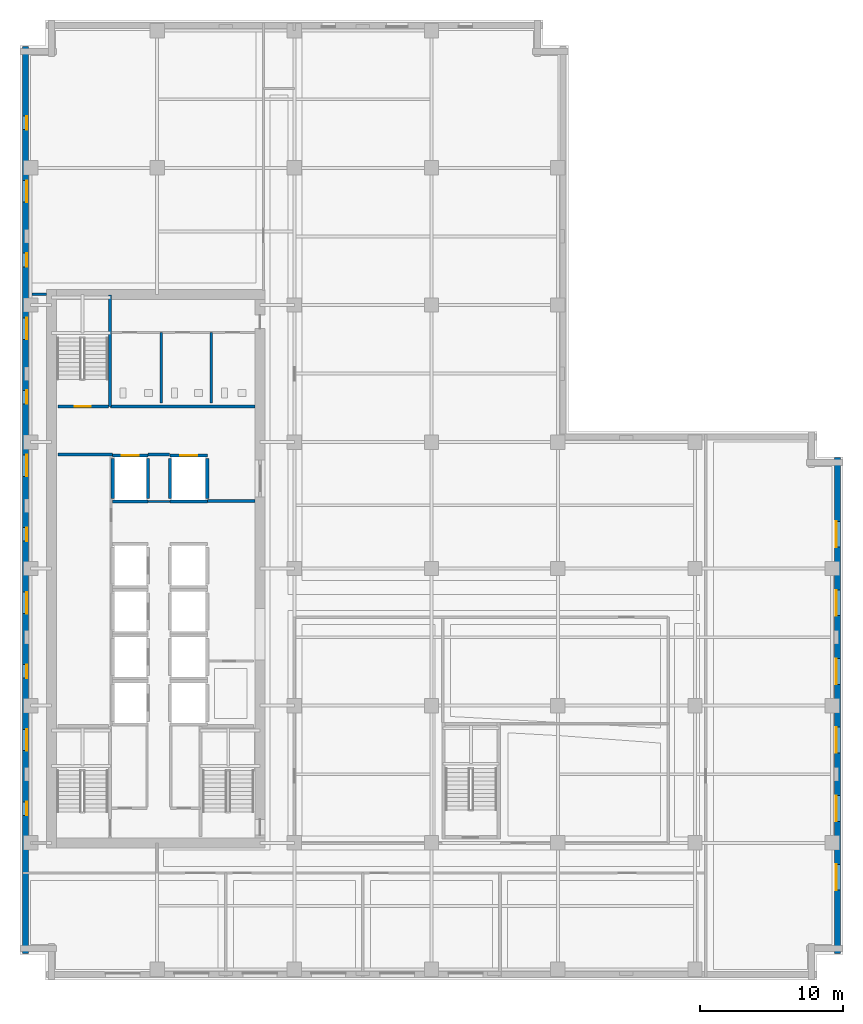
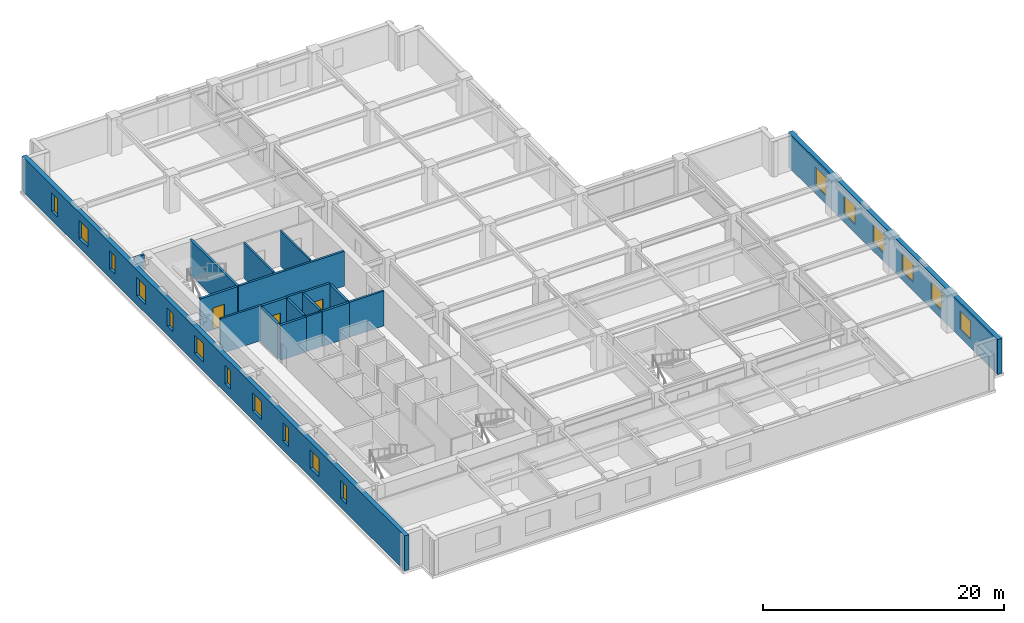
# One storey, part 5 of 11: 20 walls, 17 windows, 3 doors, 20 openings.
"""IFC4 building model written with IfcOpenShell, lengths in metres."""

from ifc_helpers import new_model, si_unit, direction, frame, frame_2d, origin, place, context, subcontext, project, spatial, rectangle, extrude, material, layer, layer_set, type_object, element, fill, save


model = new_model("IFC4")

# Units and contexts
model_context = context("Model", 3, precision=1e-05, world=origin(), true_north=direction((0.0, 1.0)))
body_context = subcontext(model_context, "Body", "Model", "MODEL_VIEW")
ifc_project = project(units=[si_unit("LENGTHUNIT", "METRE"), si_unit("AREAUNIT", "SQUARE_METRE"), si_unit("VOLUMEUNIT", "CUBIC_METRE"), si_unit("PLANEANGLEUNIT", "RADIAN"), si_unit("MASSUNIT", "GRAM", prefix="KILO")], contexts=[model_context])

# Site, building, storey
site_placement = place(None, origin())
site = spatial("IfcSite", under=ifc_project, at=site_placement, CompositionType="ELEMENT")
building_placement = place(site_placement, origin())
building = spatial("IfcBuilding", under=site, at=building_placement, Name="Norrvale University Quadrangle", CompositionType="ELEMENT")
storey_placement = place(building_placement, frame((0.0, 0.0, 128.0)))
storey = spatial("IfcBuildingStorey", under=building, at=storey_placement, Name="L32", CompositionType="ELEMENT", Elevation=128.0)

# Wall, openings, windows
ifc_material_1 = material(Name="Buff Norman Clay Brick Masonry", Category="masonry")
ifc_layer_1 = layer(ifc_material_1, 0.419921875, Name="Buff Norman Clay Brick Masonry")
ifc_layer_set_1 = layer_set([ifc_layer_1], Name="Buff Norman Clay Brick Masonry")
wall_type_1 = type_object("IfcWallType", Name="Wall Buff Brick 420", PredefinedType="SOLIDWALL", material=ifc_layer_set_1)
wall_1_placement = place(storey_placement, frame((57.2099609375, 1.840087890625, 0.0), z_axis=(0.0, 0.0, 1.0), x_axis=(0.0, 1.0, 0.0)))
wall_1 = element("IfcWall", 1, at=wall_1_placement, inside=storey, type_object=wall_type_1, Name="Exterior Brick Facade Wall L32-04.1", PredefinedType="SOLIDWALL", context=body_context, shape_type="SweptSolid", body=[
    extrude(rectangle(XDim=34.719970703125, YDim=0.419921875, at=frame_2d((17.35986328125, 0.0))), origin(), (0.0, 0.0, 1.0), 3.5400390625),
])
opening_1_placement = place(wall_1_placement, frame((4.4599609375, 0.0, 0.85009765625)))
opening_1 = element("IfcOpeningElement", 2, at=opening_1_placement, cuts=wall_1, Name="Opening W01", PredefinedType="OPENING", context=body_context, shape_type="SweptSolid", body=[
    extrude(rectangle(XDim=1.800048828125, YDim=1.85009765625, at=frame_2d((0.89990234375, 0.925048828125))), frame((0.0, 0.221923828125, 0.0), z_axis=(0.0, -1.0, 0.0), x_axis=(1.0, 0.0, 0.0)), (0.0, 0.0, 1.0), 0.44384765625),
])
opening_2_placement = place(wall_1_placement, frame((9.260009765625, 0.0, 0.85009765625)))
opening_2 = element("IfcOpeningElement", 3, at=opening_2_placement, cuts=wall_1, Name="Opening W01", PredefinedType="OPENING", context=body_context, shape_type="SweptSolid", body=[
    extrude(rectangle(XDim=1.800048828125, YDim=1.85009765625, at=frame_2d((0.89990234375, 0.925048828125))), frame((0.0, 0.221923828125, 0.0), z_axis=(0.0, -1.0, 0.0), x_axis=(1.0, 0.0, 0.0)), (0.0, 0.0, 1.0), 0.44384765625),
])
opening_3_placement = place(wall_1_placement, frame((14.06005859375, 0.0, 0.85009765625)))
opening_3 = element("IfcOpeningElement", 4, at=opening_3_placement, cuts=wall_1, Name="Opening W01", PredefinedType="OPENING", context=body_context, shape_type="SweptSolid", body=[
    extrude(rectangle(XDim=1.800048828125, YDim=1.85009765625, at=frame_2d((0.89990234375, 0.925048828125))), frame((0.0, 0.221923828125, 0.0), z_axis=(0.0, -1.0, 0.0), x_axis=(1.0, 0.0, 0.0)), (0.0, 0.0, 1.0), 0.44384765625),
])
opening_4_placement = place(wall_1_placement, frame((18.860107421875, 0.0, 0.85009765625)))
opening_4 = element("IfcOpeningElement", 5, at=opening_4_placement, cuts=wall_1, Name="Opening W01", PredefinedType="OPENING", context=body_context, shape_type="SweptSolid", body=[
    extrude(rectangle(XDim=1.800048828125, YDim=1.85009765625, at=frame_2d((0.89990234375, 0.925048828125))), frame((0.0, 0.221923828125, 0.0), z_axis=(0.0, -1.0, 0.0), x_axis=(1.0, 0.0, 0.0)), (0.0, 0.0, 1.0), 0.44384765625),
])
opening_5_placement = place(wall_1_placement, frame((23.659912109375, 0.0, 0.85009765625)))
opening_5 = element("IfcOpeningElement", 6, at=opening_5_placement, cuts=wall_1, Name="Opening W01", PredefinedType="OPENING", context=body_context, shape_type="SweptSolid", body=[
    extrude(rectangle(XDim=1.800048828125, YDim=1.85009765625, at=frame_2d((0.89990234375, 0.925048828125))), frame((0.0, 0.221923828125, 0.0), z_axis=(0.0, -1.0, 0.0), x_axis=(1.0, 0.0, 0.0)), (0.0, 0.0, 1.0), 0.44384765625),
])
opening_6_placement = place(wall_1_placement, frame((28.4599609375, 0.0, 0.85009765625)))
opening_6 = element("IfcOpeningElement", 7, at=opening_6_placement, cuts=wall_1, Name="Opening W01", PredefinedType="OPENING", context=body_context, shape_type="SweptSolid", body=[
    extrude(rectangle(XDim=1.800048828125, YDim=1.85009765625, at=frame_2d((0.89990234375, 0.925048828125))), frame((0.0, 0.221923828125, 0.0), z_axis=(0.0, -1.0, 0.0), x_axis=(1.0, 0.0, 0.0)), (0.0, 0.0, 1.0), 0.44384765625),
])
ifc_material_2 = material(Name="Triple Low-E Argon Glazing", Category="glass")
window_type_1 = type_object("IfcWindowType", Name="Window Academic 1800x2300", PartitioningType="DOUBLE_PANEL_VERTICAL", PredefinedType="WINDOW", material=ifc_material_2)
window_1_placement = place(opening_1_placement, origin())
window_1 = element("IfcWindow", 8, at=window_1_placement, inside=storey, type_object=window_type_1, Name="Window Academic 1800x2300 WIN-L32-E04-1-01", OverallHeight=1.85009765625, OverallWidth=1.800048828125, PartitioningType="DOUBLE_PANEL_VERTICAL", PredefinedType="WINDOW", context=body_context, shape_type="SweptSolid", body=[
    extrude(rectangle(XDim=1.800048828125, YDim=1.85009765625, at=frame_2d((0.89990234375, 0.925048828125))), frame((0.0, 0.110107421875, 0.0), z_axis=(0.0, -1.0, 0.0), x_axis=(1.0, 0.0, 0.0)), (0.0, 0.0, 1.0), 0.06005859375),
])
fill(opening_1, window_1)
window_2_placement = place(opening_2_placement, origin())
window_2 = element("IfcWindow", 9, at=window_2_placement, inside=storey, type_object=window_type_1, Name="Window Academic 1800x2300 WIN-L32-E04-1-02", OverallHeight=1.85009765625, OverallWidth=1.800048828125, PartitioningType="DOUBLE_PANEL_VERTICAL", PredefinedType="WINDOW", context=body_context, shape_type="SweptSolid", body=[
    extrude(rectangle(XDim=1.800048828125, YDim=1.85009765625, at=frame_2d((0.89990234375, 0.925048828125))), frame((0.0, 0.110107421875, 0.0), z_axis=(0.0, -1.0, 0.0), x_axis=(1.0, 0.0, 0.0)), (0.0, 0.0, 1.0), 0.06005859375),
])
fill(opening_2, window_2)
window_3_placement = place(opening_3_placement, origin())
window_3 = element("IfcWindow", 10, at=window_3_placement, inside=storey, type_object=window_type_1, Name="Window Academic 1800x2300 WIN-L32-E04-1-03", OverallHeight=1.85009765625, OverallWidth=1.800048828125, PartitioningType="DOUBLE_PANEL_VERTICAL", PredefinedType="WINDOW", context=body_context, shape_type="SweptSolid", body=[
    extrude(rectangle(XDim=1.800048828125, YDim=1.85009765625, at=frame_2d((0.89990234375, 0.925048828125))), frame((0.0, 0.110107421875, 0.0), z_axis=(0.0, -1.0, 0.0), x_axis=(1.0, 0.0, 0.0)), (0.0, 0.0, 1.0), 0.06005859375),
])
fill(opening_3, window_3)
window_4_placement = place(opening_4_placement, origin())
window_4 = element("IfcWindow", 11, at=window_4_placement, inside=storey, type_object=window_type_1, Name="Window Academic 1800x2300 WIN-L32-E04-1-04", OverallHeight=1.85009765625, OverallWidth=1.800048828125, PartitioningType="DOUBLE_PANEL_VERTICAL", PredefinedType="WINDOW", context=body_context, shape_type="SweptSolid", body=[
    extrude(rectangle(XDim=1.800048828125, YDim=1.85009765625, at=frame_2d((0.89990234375, 0.925048828125))), frame((0.0, 0.110107421875, 0.0), z_axis=(0.0, -1.0, 0.0), x_axis=(1.0, 0.0, 0.0)), (0.0, 0.0, 1.0), 0.06005859375),
])
fill(opening_4, window_4)
window_5_placement = place(opening_5_placement, origin())
window_5 = element("IfcWindow", 12, at=window_5_placement, inside=storey, type_object=window_type_1, Name="Window Academic 1800x2300 WIN-L32-E04-1-05", OverallHeight=1.85009765625, OverallWidth=1.800048828125, PartitioningType="DOUBLE_PANEL_VERTICAL", PredefinedType="WINDOW", context=body_context, shape_type="SweptSolid", body=[
    extrude(rectangle(XDim=1.800048828125, YDim=1.85009765625, at=frame_2d((0.89990234375, 0.925048828125))), frame((0.0, 0.110107421875, 0.0), z_axis=(0.0, -1.0, 0.0), x_axis=(1.0, 0.0, 0.0)), (0.0, 0.0, 1.0), 0.06005859375),
])
fill(opening_5, window_5)
window_6_placement = place(opening_6_placement, origin())
window_6 = element("IfcWindow", 13, at=window_6_placement, inside=storey, type_object=window_type_1, Name="Window Academic 1800x2300 WIN-L32-E04-1-06", OverallHeight=1.85009765625, OverallWidth=1.800048828125, PartitioningType="DOUBLE_PANEL_VERTICAL", PredefinedType="WINDOW", context=body_context, shape_type="SweptSolid", body=[
    extrude(rectangle(XDim=1.800048828125, YDim=1.85009765625, at=frame_2d((0.89990234375, 0.925048828125))), frame((0.0, 0.110107421875, 0.0), z_axis=(0.0, -1.0, 0.0), x_axis=(1.0, 0.0, 0.0)), (0.0, 0.0, 1.0), 0.06005859375),
])
fill(opening_6, window_6)

wall_2_placement = place(storey_placement, frame((0.389892578125, 65.360107421875, 0.0), z_axis=(0.0, 0.0, 1.0), x_axis=(0.0, -1.0, 0.0)))
wall_2 = element("IfcWall", 14, at=wall_2_placement, inside=storey, type_object=wall_type_1, Name="Exterior Brick Facade Wall L32-14.1", PredefinedType="SOLIDWALL", context=body_context, shape_type="SweptSolid", body=[
    extrude(rectangle(XDim=63.52001953125, YDim=0.419921875, at=frame_2d((31.760009765625, 0.0))), origin(), (0.0, 0.0, 1.0), 3.5400390625),
])
opening_7_placement = place(wall_2_placement, frame((4.885009765625, 0.0, 0.89990234375)))
opening_7 = element("IfcOpeningElement", 15, at=opening_7_placement, cuts=wall_2, Name="Opening W04", PredefinedType="OPENING", context=body_context, shape_type="SweptSolid", body=[
    extrude(rectangle(XDim=0.949951171875, YDim=1.85009765625, at=frame_2d((0.47509765625, 0.925048828125))), frame((0.0, 0.221923828125, 0.0), z_axis=(0.0, -1.0, 0.0), x_axis=(1.0, 0.0, 0.0)), (0.0, 0.0, 1.0), 0.44384765625),
])
opening_8_placement = place(wall_2_placement, frame((9.409912109375, 0.0, 0.89990234375)))
opening_8 = element("IfcOpeningElement", 16, at=opening_8_placement, cuts=wall_2, Name="Opening W03", PredefinedType="OPENING", context=body_context, shape_type="SweptSolid", body=[
    extrude(rectangle(XDim=1.5, YDim=1.85009765625, at=frame_2d((0.75, 0.925048828125))), frame((0.0, 0.221923828125, 0.0), z_axis=(0.0, -1.0, 0.0), x_axis=(1.0, 0.0, 0.0)), (0.0, 0.0, 1.0), 0.44384765625),
])
opening_9_placement = place(wall_2_placement, frame((14.485107421875, 0.0, 0.89990234375)))
opening_9 = element("IfcOpeningElement", 17, at=opening_9_placement, cuts=wall_2, Name="Opening W04", PredefinedType="OPENING", context=body_context, shape_type="SweptSolid", body=[
    extrude(rectangle(XDim=0.949951171875, YDim=1.85009765625, at=frame_2d((0.47509765625, 0.925048828125))), frame((0.0, 0.221923828125, 0.0), z_axis=(0.0, -1.0, 0.0), x_axis=(1.0, 0.0, 0.0)), (0.0, 0.0, 1.0), 0.44384765625),
])
opening_10_placement = place(wall_2_placement, frame((19.010009765625, 0.0, 0.89990234375)))
opening_10 = element("IfcOpeningElement", 18, at=opening_10_placement, cuts=wall_2, Name="Opening W03", PredefinedType="OPENING", context=body_context, shape_type="SweptSolid", body=[
    extrude(rectangle(XDim=1.5, YDim=1.85009765625, at=frame_2d((0.75, 0.925048828125))), frame((0.0, 0.221923828125, 0.0), z_axis=(0.0, -1.0, 0.0), x_axis=(1.0, 0.0, 0.0)), (0.0, 0.0, 1.0), 0.44384765625),
])
opening_11_placement = place(wall_2_placement, frame((24.0849609375, 0.0, 0.89990234375)))
opening_11 = element("IfcOpeningElement", 19, at=opening_11_placement, cuts=wall_2, Name="Opening W04", PredefinedType="OPENING", context=body_context, shape_type="SweptSolid", body=[
    extrude(rectangle(XDim=0.949951171875, YDim=1.85009765625, at=frame_2d((0.47509765625, 0.925048828125))), frame((0.0, 0.221923828125, 0.0), z_axis=(0.0, -1.0, 0.0), x_axis=(1.0, 0.0, 0.0)), (0.0, 0.0, 1.0), 0.44384765625),
])
opening_12_placement = place(wall_2_placement, frame((28.610107421875, 0.0, 0.89990234375)))
opening_12 = element("IfcOpeningElement", 20, at=opening_12_placement, cuts=wall_2, Name="Opening W03", PredefinedType="OPENING", context=body_context, shape_type="SweptSolid", body=[
    extrude(rectangle(XDim=1.5, YDim=1.85009765625, at=frame_2d((0.75, 0.925048828125))), frame((0.0, 0.221923828125, 0.0), z_axis=(0.0, -1.0, 0.0), x_axis=(1.0, 0.0, 0.0)), (0.0, 0.0, 1.0), 0.44384765625),
])
opening_13_placement = place(wall_2_placement, frame((33.68505859375, 0.0, 0.89990234375)))
opening_13 = element("IfcOpeningElement", 21, at=opening_13_placement, cuts=wall_2, Name="Opening W04", PredefinedType="OPENING", context=body_context, shape_type="SweptSolid", body=[
    extrude(rectangle(XDim=0.949951171875, YDim=1.85009765625, at=frame_2d((0.47509765625, 0.925048828125))), frame((0.0, 0.221923828125, 0.0), z_axis=(0.0, -1.0, 0.0), x_axis=(1.0, 0.0, 0.0)), (0.0, 0.0, 1.0), 0.44384765625),
])
opening_14_placement = place(wall_2_placement, frame((38.2099609375, 0.0, 0.89990234375)))
opening_14 = element("IfcOpeningElement", 22, at=opening_14_placement, cuts=wall_2, Name="Opening W03", PredefinedType="OPENING", context=body_context, shape_type="SweptSolid", body=[
    extrude(rectangle(XDim=1.5, YDim=1.85009765625, at=frame_2d((0.75, 0.925048828125))), frame((0.0, 0.221923828125, 0.0), z_axis=(0.0, -1.0, 0.0), x_axis=(1.0, 0.0, 0.0)), (0.0, 0.0, 1.0), 0.44384765625),
])
opening_15_placement = place(wall_2_placement, frame((43.284912109375, 0.0, 0.89990234375)))
opening_15 = element("IfcOpeningElement", 23, at=opening_15_placement, cuts=wall_2, Name="Opening W04", PredefinedType="OPENING", context=body_context, shape_type="SweptSolid", body=[
    extrude(rectangle(XDim=0.949951171875, YDim=1.85009765625, at=frame_2d((0.47509765625, 0.925048828125))), frame((0.0, 0.221923828125, 0.0), z_axis=(0.0, -1.0, 0.0), x_axis=(1.0, 0.0, 0.0)), (0.0, 0.0, 1.0), 0.44384765625),
])
opening_16_placement = place(wall_2_placement, frame((47.81005859375, 0.0, 0.89990234375)))
opening_16 = element("IfcOpeningElement", 24, at=opening_16_placement, cuts=wall_2, Name="Opening W03", PredefinedType="OPENING", context=body_context, shape_type="SweptSolid", body=[
    extrude(rectangle(XDim=1.5, YDim=1.85009765625, at=frame_2d((0.75, 0.925048828125))), frame((0.0, 0.221923828125, 0.0), z_axis=(0.0, -1.0, 0.0), x_axis=(1.0, 0.0, 0.0)), (0.0, 0.0, 1.0), 0.44384765625),
])
opening_17_placement = place(wall_2_placement, frame((52.885009765625, 0.0, 0.89990234375)))
opening_17 = element("IfcOpeningElement", 25, at=opening_17_placement, cuts=wall_2, Name="Opening W04", PredefinedType="OPENING", context=body_context, shape_type="SweptSolid", body=[
    extrude(rectangle(XDim=0.949951171875, YDim=1.85009765625, at=frame_2d((0.47509765625, 0.925048828125))), frame((0.0, 0.221923828125, 0.0), z_axis=(0.0, -1.0, 0.0), x_axis=(1.0, 0.0, 0.0)), (0.0, 0.0, 1.0), 0.44384765625),
])
window_type_2 = type_object("IfcWindowType", Name="Window Narrow Pier 950x2300", PartitioningType="SINGLE_PANEL", PredefinedType="WINDOW", material=ifc_material_2)
window_7_placement = place(opening_7_placement, origin())
window_7 = element("IfcWindow", 26, at=window_7_placement, inside=storey, type_object=window_type_2, Name="Window Narrow Pier 950x2300 WIN-L32-E14-1-01", OverallHeight=1.85009765625, OverallWidth=0.949951171875, PartitioningType="SINGLE_PANEL", PredefinedType="WINDOW", context=body_context, shape_type="SweptSolid", body=[
    extrude(rectangle(XDim=0.949951171875, YDim=1.85009765625, at=frame_2d((0.47509765625, 0.925048828125))), frame((0.0, 0.110107421875, 0.0), z_axis=(0.0, -1.0, 0.0), x_axis=(1.0, 0.0, 0.0)), (0.0, 0.0, 1.0), 0.06005859375),
])
fill(opening_7, window_7)
window_8_placement = place(opening_9_placement, origin())
window_8 = element("IfcWindow", 27, at=window_8_placement, inside=storey, type_object=window_type_2, Name="Window Narrow Pier 950x2300 WIN-L32-E14-1-03", OverallHeight=1.85009765625, OverallWidth=0.949951171875, PartitioningType="SINGLE_PANEL", PredefinedType="WINDOW", context=body_context, shape_type="SweptSolid", body=[
    extrude(rectangle(XDim=0.949951171875, YDim=1.85009765625, at=frame_2d((0.47509765625, 0.925048828125))), frame((0.0, 0.110107421875, 0.0), z_axis=(0.0, -1.0, 0.0), x_axis=(1.0, 0.0, 0.0)), (0.0, 0.0, 1.0), 0.06005859375),
])
fill(opening_9, window_8)
window_9_placement = place(opening_11_placement, origin())
window_9 = element("IfcWindow", 28, at=window_9_placement, inside=storey, type_object=window_type_2, Name="Window Narrow Pier 950x2300 WIN-L32-E14-1-05", OverallHeight=1.85009765625, OverallWidth=0.949951171875, PartitioningType="SINGLE_PANEL", PredefinedType="WINDOW", context=body_context, shape_type="SweptSolid", body=[
    extrude(rectangle(XDim=0.949951171875, YDim=1.85009765625, at=frame_2d((0.47509765625, 0.925048828125))), frame((0.0, 0.110107421875, 0.0), z_axis=(0.0, -1.0, 0.0), x_axis=(1.0, 0.0, 0.0)), (0.0, 0.0, 1.0), 0.06005859375),
])
fill(opening_11, window_9)
window_10_placement = place(opening_13_placement, origin())
window_10 = element("IfcWindow", 29, at=window_10_placement, inside=storey, type_object=window_type_2, Name="Window Narrow Pier 950x2300 WIN-L32-E14-1-07", OverallHeight=1.85009765625, OverallWidth=0.949951171875, PartitioningType="SINGLE_PANEL", PredefinedType="WINDOW", context=body_context, shape_type="SweptSolid", body=[
    extrude(rectangle(XDim=0.949951171875, YDim=1.85009765625, at=frame_2d((0.47509765625, 0.925048828125))), frame((0.0, 0.110107421875, 0.0), z_axis=(0.0, -1.0, 0.0), x_axis=(1.0, 0.0, 0.0)), (0.0, 0.0, 1.0), 0.06005859375),
])
fill(opening_13, window_10)
window_11_placement = place(opening_15_placement, origin())
window_11 = element("IfcWindow", 30, at=window_11_placement, inside=storey, type_object=window_type_2, Name="Window Narrow Pier 950x2300 WIN-L32-E14-1-09", OverallHeight=1.85009765625, OverallWidth=0.949951171875, PartitioningType="SINGLE_PANEL", PredefinedType="WINDOW", context=body_context, shape_type="SweptSolid", body=[
    extrude(rectangle(XDim=0.949951171875, YDim=1.85009765625, at=frame_2d((0.47509765625, 0.925048828125))), frame((0.0, 0.110107421875, 0.0), z_axis=(0.0, -1.0, 0.0), x_axis=(1.0, 0.0, 0.0)), (0.0, 0.0, 1.0), 0.06005859375),
])
fill(opening_15, window_11)
window_12_placement = place(opening_17_placement, origin())
window_12 = element("IfcWindow", 31, at=window_12_placement, inside=storey, type_object=window_type_2, Name="Window Narrow Pier 950x2300 WIN-L32-E14-1-11", OverallHeight=1.85009765625, OverallWidth=0.949951171875, PartitioningType="SINGLE_PANEL", PredefinedType="WINDOW", context=body_context, shape_type="SweptSolid", body=[
    extrude(rectangle(XDim=0.949951171875, YDim=1.85009765625, at=frame_2d((0.47509765625, 0.925048828125))), frame((0.0, 0.110107421875, 0.0), z_axis=(0.0, -1.0, 0.0), x_axis=(1.0, 0.0, 0.0)), (0.0, 0.0, 1.0), 0.06005859375),
])
fill(opening_17, window_12)
window_type_3 = type_object("IfcWindowType", Name="Window Studio 1500x2300", PartitioningType="DOUBLE_PANEL_VERTICAL", PredefinedType="WINDOW", material=ifc_material_2)
window_13_placement = place(opening_8_placement, origin())
window_13 = element("IfcWindow", 32, at=window_13_placement, inside=storey, type_object=window_type_3, Name="Window Studio 1500x2300 WIN-L32-E14-1-02", OverallHeight=1.85009765625, OverallWidth=1.5, PartitioningType="DOUBLE_PANEL_VERTICAL", PredefinedType="WINDOW", context=body_context, shape_type="SweptSolid", body=[
    extrude(rectangle(XDim=1.5, YDim=1.85009765625, at=frame_2d((0.75, 0.925048828125))), frame((0.0, 0.110107421875, 0.0), z_axis=(0.0, -1.0, 0.0), x_axis=(1.0, 0.0, 0.0)), (0.0, 0.0, 1.0), 0.06005859375),
])
fill(opening_8, window_13)
window_14_placement = place(opening_10_placement, origin())
window_14 = element("IfcWindow", 33, at=window_14_placement, inside=storey, type_object=window_type_3, Name="Window Studio 1500x2300 WIN-L32-E14-1-04", OverallHeight=1.85009765625, OverallWidth=1.5, PartitioningType="DOUBLE_PANEL_VERTICAL", PredefinedType="WINDOW", context=body_context, shape_type="SweptSolid", body=[
    extrude(rectangle(XDim=1.5, YDim=1.85009765625, at=frame_2d((0.75, 0.925048828125))), frame((0.0, 0.110107421875, 0.0), z_axis=(0.0, -1.0, 0.0), x_axis=(1.0, 0.0, 0.0)), (0.0, 0.0, 1.0), 0.06005859375),
])
fill(opening_10, window_14)
window_15_placement = place(opening_12_placement, origin())
window_15 = element("IfcWindow", 34, at=window_15_placement, inside=storey, type_object=window_type_3, Name="Window Studio 1500x2300 WIN-L32-E14-1-06", OverallHeight=1.85009765625, OverallWidth=1.5, PartitioningType="DOUBLE_PANEL_VERTICAL", PredefinedType="WINDOW", context=body_context, shape_type="SweptSolid", body=[
    extrude(rectangle(XDim=1.5, YDim=1.85009765625, at=frame_2d((0.75, 0.925048828125))), frame((0.0, 0.110107421875, 0.0), z_axis=(0.0, -1.0, 0.0), x_axis=(1.0, 0.0, 0.0)), (0.0, 0.0, 1.0), 0.06005859375),
])
fill(opening_12, window_15)
window_16_placement = place(opening_14_placement, origin())
window_16 = element("IfcWindow", 35, at=window_16_placement, inside=storey, type_object=window_type_3, Name="Window Studio 1500x2300 WIN-L32-E14-1-08", OverallHeight=1.85009765625, OverallWidth=1.5, PartitioningType="DOUBLE_PANEL_VERTICAL", PredefinedType="WINDOW", context=body_context, shape_type="SweptSolid", body=[
    extrude(rectangle(XDim=1.5, YDim=1.85009765625, at=frame_2d((0.75, 0.925048828125))), frame((0.0, 0.110107421875, 0.0), z_axis=(0.0, -1.0, 0.0), x_axis=(1.0, 0.0, 0.0)), (0.0, 0.0, 1.0), 0.06005859375),
])
fill(opening_14, window_16)
window_17_placement = place(opening_16_placement, origin())
window_17 = element("IfcWindow", 36, at=window_17_placement, inside=storey, type_object=window_type_3, Name="Window Studio 1500x2300 WIN-L32-E14-1-10", OverallHeight=1.85009765625, OverallWidth=1.5, PartitioningType="DOUBLE_PANEL_VERTICAL", PredefinedType="WINDOW", context=body_context, shape_type="SweptSolid", body=[
    extrude(rectangle(XDim=1.5, YDim=1.85009765625, at=frame_2d((0.75, 0.925048828125))), frame((0.0, 0.110107421875, 0.0), z_axis=(0.0, -1.0, 0.0), x_axis=(1.0, 0.0, 0.0)), (0.0, 0.0, 1.0), 0.06005859375),
])
fill(opening_16, window_17)

# Walls
ifc_material_3 = material(Name="Fire-Rated Gypsum Stud Partition")
ifc_layer_2 = layer(ifc_material_3, 0.14990234375, Name="Fire-Rated Gypsum Stud Partition")
ifc_layer_set_2 = layer_set([ifc_layer_2], Name="Fire-Rated Gypsum Stud Partition")
wall_type_2 = type_object("IfcWallType", Name="Wall Gypsum Corridor 150", PredefinedType="PARTITIONING", material=ifc_layer_set_2)
wall_3_placement = place(storey_placement, frame((8.965087890625, 33.489990234375, 0.0), z_axis=(0.0, 0.0, 1.0), x_axis=(1.0, 0.0, 0.0)))
element("IfcWall", 37, at=wall_3_placement, inside=storey, type_object=wall_type_2, Name="Interior Partition WL-L32-LL3", PredefinedType="PARTITIONING", context=body_context, shape_type="SweptSolid", body=[
    extrude(rectangle(XDim=1.52001953125, YDim=0.14990234375, at=frame_2d((0.760009765625, 0.0))), origin(), (0.0, 0.0, 1.0), 3.5400390625),
])
ifc_material_4 = material(Name="Sanitary Chase Gypsum Partition")
ifc_layer_3 = layer(ifc_material_4, 0.1650390625, Name="Sanitary Chase Gypsum Partition")
ifc_layer_set_3 = layer_set([ifc_layer_3], Name="Sanitary Chase Gypsum Partition")
wall_type_3 = type_object("IfcWallType", Name="Wall Gypsum Sanitary 165", PredefinedType="PLUMBINGWALL", material=ifc_layer_set_3)
for number, where, z_axis, x_axis, name in (
    (38, (9.89990234375, 40.39990234375, 0.0), (0.0, 0.0, 1.0), (0.0, 1.0, 0.0), "Interior Partition WL-L32-WCM1"),
    (39, (13.39990234375, 40.39990234375, 0.0), (0.0, 0.0, 1.0), (0.0, 1.0, 0.0), "Interior Partition WL-L32-WCM2"),
):
    element("IfcWall", number, at=place(storey_placement, frame(where, z_axis=z_axis, x_axis=x_axis)), inside=storey, type_object=wall_type_3, Name=name, PredefinedType="PLUMBINGWALL", context=body_context, shape_type="SweptSolid", body=[
        extrude(rectangle(XDim=4.920166015625, YDim=0.1650390625, at=frame_2d((2.4599609375, 0.0))), origin(), (0.0, 0.0, 1.0), 3.5400390625),
    ])
ifc_material_5 = material(Name="Concrete Blockwork 20 MPa Rated Wall", Category="masonry")
ifc_layer_4 = layer(ifc_material_5, 0.199951171875, Name="Concrete Blockwork 20 MPa Rated Wall")
ifc_layer_set_4 = layer_set([ifc_layer_4], Name="Concrete Blockwork 20 MPa Rated Wall")
wall_type_4 = type_object("IfcWallType", Name="Wall Lobby 200", PredefinedType="SOLIDWALL", material=ifc_layer_set_4)
wall_4_placement = place(storey_placement, frame((2.64990234375, 36.780029296875, 0.0), z_axis=(0.0, 0.0, 1.0), x_axis=(1.0, 0.0, 0.0)))
element("IfcWall", 40, at=wall_4_placement, inside=storey, type_object=wall_type_4, Name="Interior Partition WL-L32-FF1", PredefinedType="SOLIDWALL", context=body_context, shape_type="SweptSolid", body=[
    extrude(rectangle(XDim=3.830078125, YDim=0.199951171875, at=frame_2d((1.9150390625, 0.0))), origin(), (0.0, 0.0, 1.0), 3.5400390625),
])
wall_5_placement = place(storey_placement, frame((8.969970703125, 36.780029296875, 0.0), z_axis=(0.0, 0.0, 1.0), x_axis=(1.0, 0.0, 0.0)))
element("IfcWall", 41, at=wall_5_placement, inside=storey, type_object=wall_type_4, Name="Interior Partition WL-L32-FF2", PredefinedType="SOLIDWALL", context=body_context, shape_type="SweptSolid", body=[
    extrude(rectangle(XDim=1.510009765625, YDim=0.199951171875, at=frame_2d((0.7548828125, 0.0))), origin(), (0.0, 0.0, 1.0), 3.5400390625),
])
wall_6_placement = place(storey_placement, frame((13.1201171875, 33.52001953125, 0.0), z_axis=(0.0, 0.0, 1.0), x_axis=(1.0, 0.0, 0.0)))
element("IfcWall", 42, at=wall_6_placement, inside=storey, type_object=wall_type_4, Name="Interior Partition WL-L32-FF3", PredefinedType="SOLIDWALL", context=body_context, shape_type="SweptSolid", body=[
    extrude(rectangle(XDim=3.329833984375, YDim=0.199951171875, at=frame_2d((1.6650390625, 0.0))), origin(), (0.0, 0.0, 1.0), 3.5400390625),
])
wall_7_placement = place(storey_placement, frame((6.320068359375, 40.139892578125, 0.0), z_axis=(0.0, 0.0, 1.0), x_axis=(1.0, 0.0, 0.0)))
element("IfcWall", 43, at=wall_7_placement, inside=storey, type_object=wall_type_4, Name="Interior Partition WL-L32-FF4", PredefinedType="SOLIDWALL", context=body_context, shape_type="SweptSolid", body=[
    extrude(rectangle(XDim=10.1298828125, YDim=0.199951171875, at=frame_2d((5.06494140625, 0.0))), origin(), (0.0, 0.0, 1.0), 3.5400390625),
])
wall_8_placement = place(storey_placement, frame((0.85009765625, 48.0, 0.0), z_axis=(0.0, 0.0, 1.0), x_axis=(1.0, 0.0, 0.0)))
element("IfcWall", 44, at=wall_8_placement, inside=storey, type_object=wall_type_4, Name="Interior Partition WL-L32-CWRET-N", PredefinedType="SOLIDWALL", context=body_context, shape_type="SweptSolid", body=[
    extrude(rectangle(XDim=0.994873046875, YDim=0.199951171875, at=frame_2d((0.49755859375, 0.0))), origin(), (0.0, 0.0, 1.0), 3.5400390625),
])

# Wall, opening, door
ifc_material_6 = material(Name="Concrete Blockwork 20 MPa Fire Shaft", Category="masonry")
ifc_layer_5 = layer(ifc_material_6, 0.219970703125, Name="Concrete Blockwork 20 MPa Fire Shaft")
ifc_layer_set_5 = layer_set([ifc_layer_5], Name="Concrete Blockwork 20 MPa Fire Shaft")
wall_type_5 = type_object("IfcWallType", Name="Wall Shaft 220", PredefinedType="SOLIDWALL", material=ifc_layer_set_5)
wall_9_placement = place(storey_placement, frame((2.64990234375, 40.139892578125, 0.0), z_axis=(0.0, 0.0, 1.0), x_axis=(1.0, 0.0, 0.0)))
wall_9 = element("IfcWall", 45, at=wall_9_placement, inside=storey, type_object=wall_type_5, Name="Stair ST-02 South Shaft Wall L32", PredefinedType="SOLIDWALL", context=body_context, shape_type="SweptSolid", body=[
    extrude(rectangle(XDim=3.550048828125, YDim=0.219970703125, at=frame_2d((1.77490234375, 0.0))), origin(), (0.0, 0.0, 1.0), 3.5400390625),
])
opening_18_placement = place(wall_9_placement, frame((1.199951171875, 0.0, 0.0)))
opening_18 = element("IfcOpeningElement", 46, at=opening_18_placement, cuts=wall_9, Name="Opening D02", PredefinedType="OPENING", context=body_context, shape_type="SweptSolid", body=[
    extrude(rectangle(XDim=1.10009765625, YDim=2.199951171875, at=frame_2d((0.550048828125, 1.10009765625))), frame((0.0, 0.1220703125, 0.0), z_axis=(0.0, -1.0, 0.0), x_axis=(1.0, 0.0, 0.0)), (0.0, 0.0, 1.0), 0.243896484375),
])
ifc_material_7 = material(Name="Hollow Steel 350W Fire Door", Category="steel")
door_type_1 = type_object("IfcDoorType", Name="Door Stair Exit 1100x2200", OperationType="NOTDEFINED", PredefinedType="DOOR", material=ifc_material_7)
door_1_placement = place(opening_18_placement, origin())
door_1 = element("IfcDoor", 47, at=door_1_placement, inside=storey, type_object=door_type_1, Name="Door Stair Exit 1100x2200 DR-L32-ST02", OperationType="SINGLE_SWING_LEFT", OverallHeight=2.199951171875, OverallWidth=1.10009765625, PredefinedType="DOOR", context=body_context, shape_type="SweptSolid", body=[
    extrude(rectangle(XDim=1.10009765625, YDim=2.199951171875, at=frame_2d((0.550048828125, 1.10009765625))), frame((0.0, 0.02490234375, 0.0), z_axis=(0.0, -1.0, 0.0), x_axis=(1.0, 0.0, 0.0)), (0.0, 0.0, 1.0), 0.050048828125),
])
fill(opening_18, door_1)

# Walls
wall_10_placement = place(storey_placement, frame((6.31005859375, 40.139892578125, 0.0), z_axis=(0.0, 0.0, 1.0), x_axis=(0.0, 1.0, 0.0)))
element("IfcWall", 48, at=wall_10_placement, inside=storey, type_object=wall_type_5, Name="Stair ST-02 East Shaft Wall L32", PredefinedType="SOLIDWALL", context=body_context, shape_type="SweptSolid", body=[
    extrude(rectangle(XDim=7.81005859375, YDim=0.219970703125, at=frame_2d((3.905029296875, 0.0))), origin(), (0.0, 0.0, 1.0), 3.5400390625),
])
for number, where, z_axis, x_axis, name in (
    (49, (6.489990234375, 33.7099609375, 0.0), (0.0, 0.0, 1.0), (0.0, 1.0, 0.0), "Hoistway FFL-01 West Wall L32"),
    (50, (8.9599609375, 33.7099609375, 0.0), (0.0, 0.0, 1.0), (0.0, 1.0, 0.0), "Hoistway FFL-01 East Wall L32"),
):
    element("IfcWall", number, at=place(storey_placement, frame(where, z_axis=z_axis, x_axis=x_axis)), inside=storey, type_object=wall_type_5, Name=name, PredefinedType="SOLIDWALL", context=body_context, shape_type="SweptSolid", body=[
        extrude(rectangle(XDim=2.780029296875, YDim=0.219970703125, at=frame_2d((1.39013671875, 0.0))), origin(), (0.0, 0.0, 1.0), 3.5400390625),
    ])
wall_11_placement = place(storey_placement, frame((6.489990234375, 33.489990234375, 0.0), z_axis=(0.0, 0.0, 1.0), x_axis=(1.0, 0.0, 0.0)))
element("IfcWall", 51, at=wall_11_placement, inside=storey, type_object=wall_type_5, Name="Hoistway FFL-01 South Wall L32", PredefinedType="SOLIDWALL", context=body_context, shape_type="SweptSolid", body=[
    extrude(rectangle(XDim=2.469970703125, YDim=0.219970703125, at=frame_2d((1.23486328125, 0.0))), origin(), (0.0, 0.0, 1.0), 3.5400390625),
])

# Wall, opening, door
wall_12_placement = place(storey_placement, frame((6.489990234375, 36.7099609375, 0.0), z_axis=(0.0, 0.0, 1.0), x_axis=(1.0, 0.0, 0.0)))
wall_12 = element("IfcWall", 52, at=wall_12_placement, inside=storey, type_object=wall_type_5, Name="Hoistway FFL-01 North Wall L32", PredefinedType="SOLIDWALL", context=body_context, shape_type="SweptSolid", body=[
    extrude(rectangle(XDim=2.469970703125, YDim=0.219970703125, at=frame_2d((1.23486328125, 0.0))), origin(), (0.0, 0.0, 1.0), 3.5400390625),
])
opening_19_placement = place(wall_12_placement, frame((0.635009765625, 0.0, 0.0)))
opening_19 = element("IfcOpeningElement", 53, at=opening_19_placement, cuts=wall_12, Name="Opening LD2", PredefinedType="OPENING", context=body_context, shape_type="SweptSolid", body=[
    extrude(rectangle(XDim=1.199951171875, YDim=2.199951171875, at=frame_2d((0.60009765625, 1.10009765625))), frame((0.0, 0.1220703125, 0.0), z_axis=(0.0, -1.0, 0.0), x_axis=(1.0, 0.0, 0.0)), (0.0, 0.0, 1.0), 0.243896484375),
])
ifc_material_8 = material(Name="Stainless Steel 316L Firefighter Lift Door", Category="steel")
door_type_2 = type_object("IfcDoorType", Name="Door Fire Lift 1200x2200", OperationType="DOUBLE_DOOR_SLIDING", PredefinedType="DOOR", material=ifc_material_8)
door_2_placement = place(opening_19_placement, origin())
door_2 = element("IfcDoor", 54, at=door_2_placement, inside=storey, type_object=door_type_2, Name="Elevator Landing Door DR-L32-FFL-01", OperationType="DOUBLE_DOOR_SLIDING", OverallHeight=2.199951171875, OverallWidth=1.199951171875, PredefinedType="DOOR", context=body_context, shape_type="SweptSolid", body=[
    extrude(rectangle(XDim=1.199951171875, YDim=2.199951171875, at=frame_2d((0.60009765625, 1.10009765625))), frame((0.0, 0.02490234375, 0.0), z_axis=(0.0, -1.0, 0.0), x_axis=(1.0, 0.0, 0.0)), (0.0, 0.0, 1.0), 0.050048828125),
])
fill(opening_19, door_2)

# Walls
for number, where, z_axis, x_axis, name in (
    (55, (10.489990234375, 33.7099609375, 0.0), (0.0, 0.0, 1.0), (0.0, 1.0, 0.0), "Hoistway FFL-02 West Wall L32"),
    (56, (13.110107421875, 33.7099609375, 0.0), (0.0, 0.0, 1.0), (0.0, 1.0, 0.0), "Hoistway FFL-02 East Wall L32"),
):
    element("IfcWall", number, at=place(storey_placement, frame(where, z_axis=z_axis, x_axis=x_axis)), inside=storey, type_object=wall_type_5, Name=name, PredefinedType="SOLIDWALL", context=body_context, shape_type="SweptSolid", body=[
        extrude(rectangle(XDim=2.780029296875, YDim=0.219970703125, at=frame_2d((1.39013671875, 0.0))), origin(), (0.0, 0.0, 1.0), 3.5400390625),
    ])
wall_13_placement = place(storey_placement, frame((10.489990234375, 33.489990234375, 0.0), z_axis=(0.0, 0.0, 1.0), x_axis=(1.0, 0.0, 0.0)))
element("IfcWall", 57, at=wall_13_placement, inside=storey, type_object=wall_type_5, Name="Hoistway FFL-02 South Wall L32", PredefinedType="SOLIDWALL", context=body_context, shape_type="SweptSolid", body=[
    extrude(rectangle(XDim=2.6201171875, YDim=0.219970703125, at=frame_2d((1.31005859375, 0.0))), origin(), (0.0, 0.0, 1.0), 3.5400390625),
])

# Wall, opening, door
wall_14_placement = place(storey_placement, frame((10.489990234375, 36.7099609375, 0.0), z_axis=(0.0, 0.0, 1.0), x_axis=(1.0, 0.0, 0.0)))
wall_14 = element("IfcWall", 58, at=wall_14_placement, inside=storey, type_object=wall_type_5, Name="Hoistway FFL-02 North Wall L32", PredefinedType="SOLIDWALL", context=body_context, shape_type="SweptSolid", body=[
    extrude(rectangle(XDim=2.6201171875, YDim=0.219970703125, at=frame_2d((1.31005859375, 0.0))), origin(), (0.0, 0.0, 1.0), 3.5400390625),
])
opening_20_placement = place(wall_14_placement, frame((0.7099609375, 0.0, 0.0)))
opening_20 = element("IfcOpeningElement", 59, at=opening_20_placement, cuts=wall_14, Name="Opening LD2", PredefinedType="OPENING", context=body_context, shape_type="SweptSolid", body=[
    extrude(rectangle(XDim=1.199951171875, YDim=2.199951171875, at=frame_2d((0.60009765625, 1.10009765625))), frame((0.0, 0.1220703125, 0.0), z_axis=(0.0, -1.0, 0.0), x_axis=(1.0, 0.0, 0.0)), (0.0, 0.0, 1.0), 0.243896484375),
])
door_3_placement = place(opening_20_placement, origin())
door_3 = element("IfcDoor", 60, at=door_3_placement, inside=storey, type_object=door_type_2, Name="Elevator Landing Door DR-L32-FFL-02", OperationType="DOUBLE_DOOR_SLIDING", OverallHeight=2.199951171875, OverallWidth=1.199951171875, PredefinedType="DOOR", context=body_context, shape_type="SweptSolid", body=[
    extrude(rectangle(XDim=1.199951171875, YDim=2.199951171875, at=frame_2d((0.60009765625, 1.10009765625))), frame((0.0, 0.02490234375, 0.0), z_axis=(0.0, -1.0, 0.0), x_axis=(1.0, 0.0, 0.0)), (0.0, 0.0, 1.0), 0.050048828125),
])
fill(opening_20, door_3)

save(model, "model.ifc")
